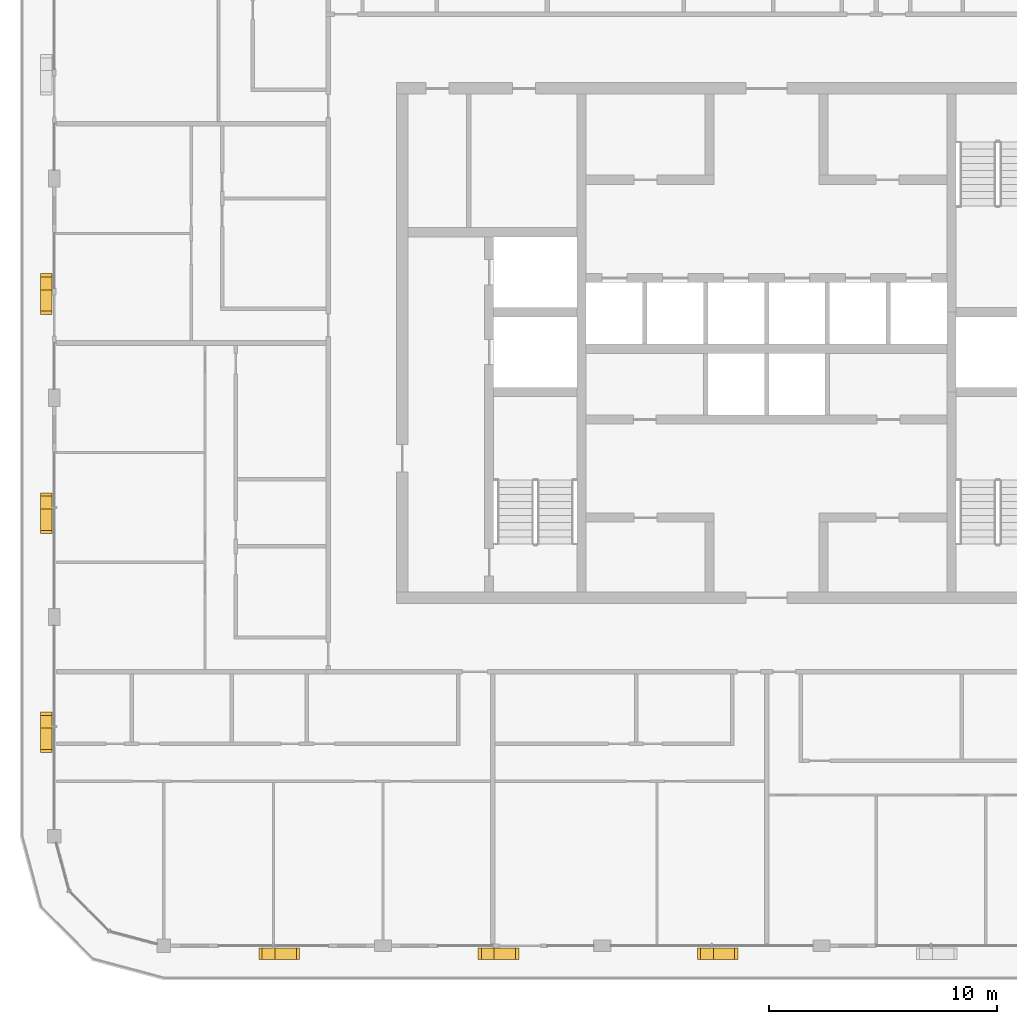
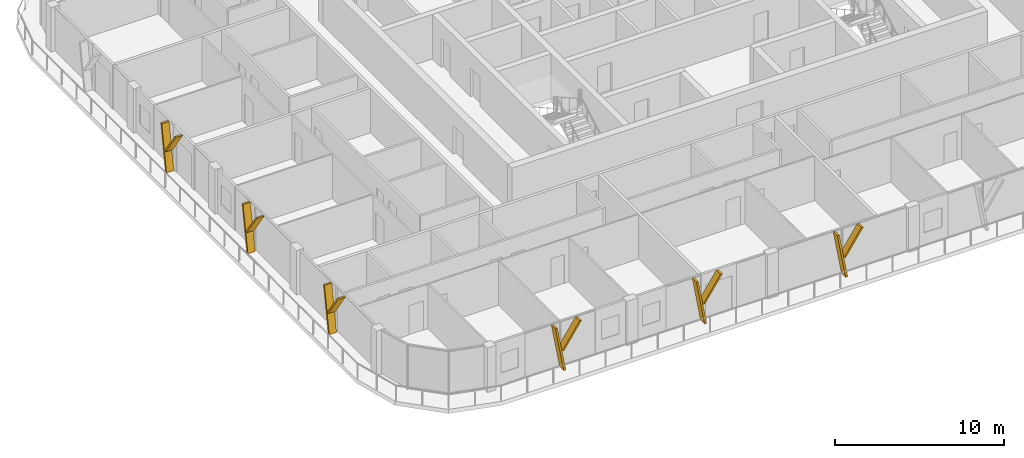
# One storey, part 16 of 21: 12 shading devices.
"""IFC4 building model written with IfcOpenShell, lengths in metres."""

from ifc_helpers import new_model, si_unit, direction, frame, origin, place, context, subcontext, project, spatial, polyline, outline, extrude, material, type_object, element, save


model = new_model("IFC4")

# Units and contexts
model_context = context("Model", 3, precision=1e-05, world=origin(), true_north=direction((0.0, 1.0)))
body_context = subcontext(model_context, "Body", "Model", "MODEL_VIEW")
ifc_project = project(units=[si_unit("LENGTHUNIT", "METRE"), si_unit("AREAUNIT", "SQUARE_METRE"), si_unit("VOLUMEUNIT", "CUBIC_METRE"), si_unit("PLANEANGLEUNIT", "RADIAN"), si_unit("MASSUNIT", "GRAM", prefix="KILO")], contexts=[model_context])

# Site, building, storey
site_placement = place(None, origin())
site = spatial("IfcSite", under=ifc_project, at=site_placement, CompositionType="ELEMENT")
building_placement = place(site_placement, origin())
building = spatial("IfcBuilding", under=site, at=building_placement, Name="Madar Terraces", CompositionType="ELEMENT")
storey_placement = place(building_placement, frame((0.0, 0.0, 275.60009765625)))
storey = spatial("IfcBuildingStorey", under=building, at=storey_placement, Name="L72", CompositionType="ELEMENT", Elevation=275.60009765625)

# Shading devices
ifc_material = material(Name="Aluminium, black anodised", Category="aluminium")
shading_device_type = type_object("IfcShadingDeviceType", Name="Facade fin blade 140 x 500", PredefinedType="USERDEFINED", material=ifc_material)
shading_device_1_placement = place(storey_placement, frame((9.530029296875, -0.35009765625, 0.0), z_axis=(0.0, 0.0, 1.0), x_axis=(1.0, 0.0, 0.0)))
element("IfcShadingDevice", 1, at=shading_device_1_placement, inside=storey, type_object=shading_device_type, Name="FIN L72 S1", ObjectType="FIN", PredefinedType="USERDEFINED", context=body_context, shape_type="SweptSolid", body=[
    extrude(outline(polyline([(0.0, 0.0), (0.139892578125, 0.0), (-0.42431640625, 3.199951171875), (-0.564208984375, 3.199951171875), (0.0, 0.0)])), frame((0.0, 0.25, 0.0), z_axis=(0.0, -1.0, 0.0), x_axis=(1.0, 0.0, 0.0)), (0.0, 0.0, 1.0), 0.5),
])
shading_device_2_placement = place(storey_placement, frame((9.416015625, -0.35009765625, 1.43994140625), z_axis=(0.0, 0.0, 1.0), x_axis=(1.0, 0.0, 0.0)))
element("IfcShadingDevice", 2, at=shading_device_2_placement, inside=storey, type_object=shading_device_type, Name="FIN L72 S1 branch", ObjectType="FIN", PredefinedType="USERDEFINED", context=body_context, shape_type="SweptSolid", body=[
    extrude(outline(polyline([(0.0, 0.0), (0.14013671875, 0.0), (1.32958984375, 1.760009765625), (1.189697265625, 1.760009765625), (0.0, 0.0)])), frame((0.0, 0.25, 0.0), z_axis=(0.0, -1.0, 0.0), x_axis=(1.0, 0.0, 0.0)), (0.0, 0.0, 1.0), 0.5),
])
shading_device_3_placement = place(storey_placement, frame((19.1298828125, -0.35009765625, 0.0), z_axis=(0.0, 0.0, 1.0), x_axis=(1.0, 0.0, 0.0)))
element("IfcShadingDevice", 3, at=shading_device_3_placement, inside=storey, type_object=shading_device_type, Name="FIN L72 S2", ObjectType="FIN", PredefinedType="USERDEFINED", context=body_context, shape_type="SweptSolid", body=[
    extrude(outline(polyline([(0.0, 0.0), (0.14013671875, 0.0), (-0.42431640625, 3.199951171875), (-0.564208984375, 3.199951171875), (0.0, 0.0)])), frame((0.0, 0.25, 0.0), z_axis=(0.0, -1.0, 0.0), x_axis=(1.0, 0.0, 0.0)), (0.0, 0.0, 1.0), 0.5),
])
shading_device_4_placement = place(storey_placement, frame((19.01611328125, -0.35009765625, 1.43994140625), z_axis=(0.0, 0.0, 1.0), x_axis=(1.0, 0.0, 0.0)))
element("IfcShadingDevice", 4, at=shading_device_4_placement, inside=storey, type_object=shading_device_type, Name="FIN L72 S2 branch", ObjectType="FIN", PredefinedType="USERDEFINED", context=body_context, shape_type="SweptSolid", body=[
    extrude(outline(polyline([(0.0, 0.0), (0.139892578125, 0.0), (1.32958984375, 1.760009765625), (1.189697265625, 1.760009765625), (0.0, 0.0)])), frame((0.0, 0.25, 0.0), z_axis=(0.0, -1.0, 0.0), x_axis=(1.0, 0.0, 0.0)), (0.0, 0.0, 1.0), 0.5),
])
shading_device_5_placement = place(storey_placement, frame((28.72998046875, -0.35009765625, 0.0), z_axis=(0.0, 0.0, 1.0), x_axis=(1.0, 0.0, 0.0)))
element("IfcShadingDevice", 5, at=shading_device_5_placement, inside=storey, type_object=shading_device_type, Name="FIN L72 S3", ObjectType="FIN", PredefinedType="USERDEFINED", context=body_context, shape_type="SweptSolid", body=[
    extrude(outline(polyline([(0.0, 0.0), (0.14013671875, 0.0), (-0.42431640625, 3.199951171875), (-0.564208984375, 3.199951171875), (0.0, 0.0)])), frame((0.0, 0.25, 0.0), z_axis=(0.0, -1.0, 0.0), x_axis=(1.0, 0.0, 0.0)), (0.0, 0.0, 1.0), 0.5),
])
shading_device_6_placement = place(storey_placement, frame((28.6162109375, -0.35009765625, 1.43994140625), z_axis=(0.0, 0.0, 1.0), x_axis=(1.0, 0.0, 0.0)))
element("IfcShadingDevice", 6, at=shading_device_6_placement, inside=storey, type_object=shading_device_type, Name="FIN L72 S3 branch", ObjectType="FIN", PredefinedType="USERDEFINED", context=body_context, shape_type="SweptSolid", body=[
    extrude(outline(polyline([(0.0, 0.0), (0.139892578125, 0.0), (1.32958984375, 1.760009765625), (1.189697265625, 1.760009765625), (0.0, 0.0)])), frame((0.0, 0.25, 0.0), z_axis=(0.0, -1.0, 0.0), x_axis=(1.0, 0.0, 0.0)), (0.0, 0.0, 1.0), 0.5),
])
shading_device_7_placement = place(storey_placement, frame((-0.35009765625, 28.8701171875, 0.0), z_axis=(0.0, 0.0, 1.0), x_axis=(0.0, -1.0, 0.0)))
element("IfcShadingDevice", 7, at=shading_device_7_placement, inside=storey, type_object=shading_device_type, Name="FIN L72 W2", ObjectType="FIN", PredefinedType="USERDEFINED", context=body_context, shape_type="SweptSolid", body=[
    extrude(outline(polyline([(0.0, 0.0), (0.14013671875, 0.0), (-0.42431640625, 3.199951171875), (-0.564208984375, 3.199951171875), (0.0, 0.0)])), frame((0.0, 0.25, 0.0), z_axis=(0.0, -1.0, 0.0), x_axis=(1.0, 0.0, 0.0)), (0.0, 0.0, 1.0), 0.5),
])
shading_device_8_placement = place(storey_placement, frame((-0.35009765625, 28.98388671875, 1.43994140625), z_axis=(0.0, 0.0, 1.0), x_axis=(0.0, -1.0, 0.0)))
element("IfcShadingDevice", 8, at=shading_device_8_placement, inside=storey, type_object=shading_device_type, Name="FIN L72 W2 branch", ObjectType="FIN", PredefinedType="USERDEFINED", context=body_context, shape_type="SweptSolid", body=[
    extrude(outline(polyline([(0.0, 0.0), (0.139892578125, 0.0), (1.32958984375, 1.760009765625), (1.189697265625, 1.760009765625), (0.0, 0.0)])), frame((0.0, 0.25, 0.0), z_axis=(0.0, -1.0, 0.0), x_axis=(1.0, 0.0, 0.0)), (0.0, 0.0, 1.0), 0.5),
])
shading_device_9_placement = place(storey_placement, frame((-0.35009765625, 19.27001953125, 0.0), z_axis=(0.0, 0.0, 1.0), x_axis=(0.0, -1.0, 0.0)))
element("IfcShadingDevice", 9, at=shading_device_9_placement, inside=storey, type_object=shading_device_type, Name="FIN L72 W3", ObjectType="FIN", PredefinedType="USERDEFINED", context=body_context, shape_type="SweptSolid", body=[
    extrude(outline(polyline([(0.0, 0.0), (0.14013671875, 0.0), (-0.42431640625, 3.199951171875), (-0.564208984375, 3.199951171875), (0.0, 0.0)])), frame((0.0, 0.25, 0.0), z_axis=(0.0, -1.0, 0.0), x_axis=(1.0, 0.0, 0.0)), (0.0, 0.0, 1.0), 0.5),
])
shading_device_10_placement = place(storey_placement, frame((-0.35009765625, 19.3837890625, 1.43994140625), z_axis=(0.0, 0.0, 1.0), x_axis=(0.0, -1.0, 0.0)))
element("IfcShadingDevice", 10, at=shading_device_10_placement, inside=storey, type_object=shading_device_type, Name="FIN L72 W3 branch", ObjectType="FIN", PredefinedType="USERDEFINED", context=body_context, shape_type="SweptSolid", body=[
    extrude(outline(polyline([(0.0, 0.0), (0.139892578125, 0.0), (1.32958984375, 1.760009765625), (1.189697265625, 1.760009765625), (0.0, 0.0)])), frame((0.0, 0.25, 0.0), z_axis=(0.0, -1.0, 0.0), x_axis=(1.0, 0.0, 0.0)), (0.0, 0.0, 1.0), 0.5),
])
shading_device_11_placement = place(storey_placement, frame((-0.35009765625, 9.669921875, 0.0), z_axis=(0.0, 0.0, 1.0), x_axis=(0.0, -1.0, 0.0)))
element("IfcShadingDevice", 11, at=shading_device_11_placement, inside=storey, type_object=shading_device_type, Name="FIN L72 W4", ObjectType="FIN", PredefinedType="USERDEFINED", context=body_context, shape_type="SweptSolid", body=[
    extrude(outline(polyline([(0.0, 0.0), (0.139892578125, 0.0), (-0.42431640625, 3.199951171875), (-0.564208984375, 3.199951171875), (0.0, 0.0)])), frame((0.0, 0.25, 0.0), z_axis=(0.0, -1.0, 0.0), x_axis=(1.0, 0.0, 0.0)), (0.0, 0.0, 1.0), 0.5),
])
shading_device_12_placement = place(storey_placement, frame((-0.35009765625, 9.783935546875, 1.43994140625), z_axis=(0.0, 0.0, 1.0), x_axis=(0.0, -1.0, 0.0)))
element("IfcShadingDevice", 12, at=shading_device_12_placement, inside=storey, type_object=shading_device_type, Name="FIN L72 W4 branch", ObjectType="FIN", PredefinedType="USERDEFINED", context=body_context, shape_type="SweptSolid", body=[
    extrude(outline(polyline([(0.0, 0.0), (0.14013671875, 0.0), (1.32958984375, 1.760009765625), (1.189697265625, 1.760009765625), (0.0, 0.0)])), frame((0.0, 0.25, 0.0), z_axis=(0.0, -1.0, 0.0), x_axis=(1.0, 0.0, 0.0)), (0.0, 0.0, 1.0), 0.5),
])

save(model, "model.ifc")
